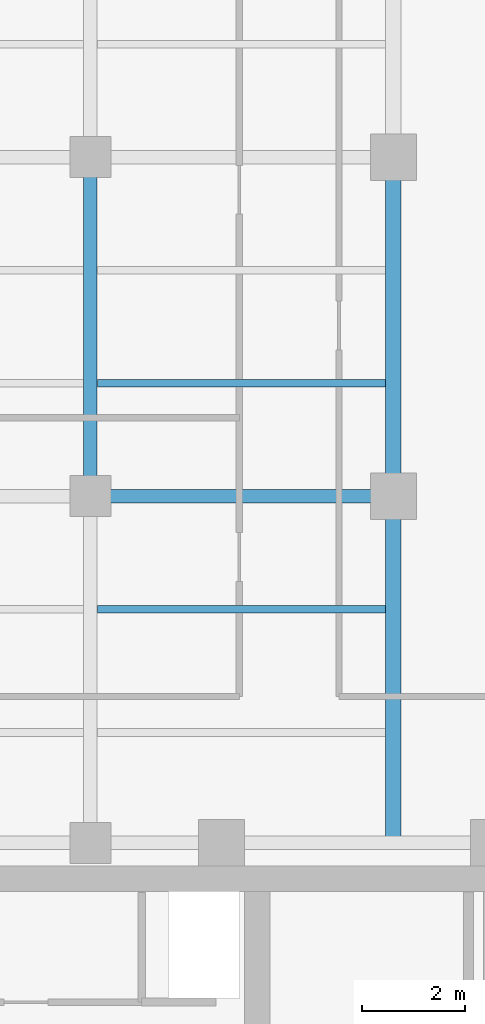
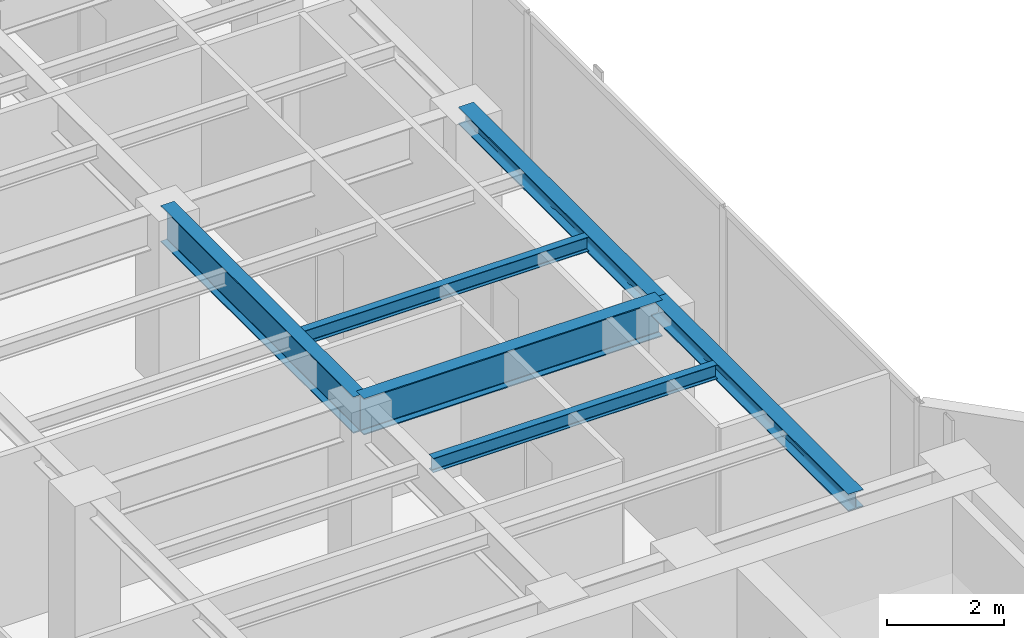
# One storey, part 9 of 22: 6 beams.
"""IFC4 building model written with IfcOpenShell, lengths in metres."""

import ifcopenshell
import ifcopenshell.guid

model = None  # the IFC model being written
_history = None  # IfcOwnerHistory: only IFC2X3 demands one
_inside = {}  # id of a spatial element -> (the spatial element, [elements in it])
_under = {}  # id of a project, library or spatial element -> (it, [spatial elements below it])
_declared = {}  # id of a project -> (the project, [libraries it declares])
_typed = {}  # id of a type object -> (the type object, [elements of that type])
_made_of = {}  # id of a material, layer set ... -> (it, [elements and type objects made of it])


def new_model(schema):
    """Start an empty IFC model of exactly this schema.

    Asked for "IFC4X3", IfcOpenShell would pick the latest addendum, in which some entities
    have other attributes; the version numbers below select the first issue.
    IFC2X3 requires an IfcOwnerHistory on every rooted entity: one is made here for all.
    """
    global model, _history
    if schema == "IFC4X3":
        model = ifcopenshell.file(schema_version=(4, 3, 0, 0))
    else:
        model = ifcopenshell.file(schema=schema)
    _inside.clear()
    _under.clear()
    _declared.clear()
    _typed.clear()
    _made_of.clear()
    _history = None
    if model.schema == "IFC2X3":
        org = make("IfcOrganization", Name="unknown")
        user = make(
            "IfcPersonAndOrganization",
            ThePerson=make("IfcPerson", FamilyName="unknown"),
            TheOrganization=org,
        )
        app = make(
            "IfcApplication",
            ApplicationDeveloper=org,
            Version="unknown",
            ApplicationFullName="unknown",
            ApplicationIdentifier="unknown",
        )
        _history = make(
            "IfcOwnerHistory",
            OwningUser=user,
            OwningApplication=app,
            ChangeAction="ADDED",
            CreationDate=0,
        )
    return model


def make(cls, **values):
    """One entity of the class cls with the attributes given. An attribute that is None is left unset."""
    return model.create_entity(
        cls, **{name: value for name, value in values.items() if value is not None}
    )


def rooted(cls, **values):
    """An entity with a GlobalId (a new one), such as an element, a storey or a relation."""
    return make(cls, GlobalId=ifcopenshell.guid.new(), OwnerHistory=_history, **values)


def si_unit(unit_type, name, prefix=None):
    """IfcSIUnit, for example si_unit("LENGTHUNIT", "METRE", prefix="MILLI")."""
    return make("IfcSIUnit", UnitType=unit_type, Prefix=prefix, Name=name)


def assignment(units):
    """IfcUnitAssignment: the units of a project."""
    return None if units is None else make("IfcUnitAssignment", Units=units)


def point(xyz):
    """IfcCartesianPoint."""
    return None if xyz is None else make("IfcCartesianPoint", Coordinates=xyz)


def direction(xyz):
    """IfcDirection."""
    return None if xyz is None else make("IfcDirection", DirectionRatios=xyz)


def frame(location, z_axis=None, x_axis=None):
    """IfcAxis2Placement3D, a coordinate frame: its origin and axes. An axis left out is left unset."""
    return make(
        "IfcAxis2Placement3D",
        Location=point(location),
        Axis=direction(z_axis),
        RefDirection=direction(x_axis),
    )


def frame_2d(location, x_axis=None):
    """IfcAxis2Placement2D, a coordinate frame in the plane: its origin and x axis."""
    return make(
        "IfcAxis2Placement2D", Location=point(location), RefDirection=direction(x_axis)
    )


def origin():
    """The frame at (0, 0, 0) with its axes left unset."""
    return frame((0.0, 0.0, 0.0))


def origin_2d():
    """The frame at (0, 0) in the plane with its x axis left unset."""
    return frame_2d((0.0, 0.0))


def place(relative_to, where):
    """IfcLocalPlacement: puts the frame where relative to a parent placement (None: the world)."""
    return make(
        "IfcLocalPlacement", PlacementRelTo=relative_to, RelativePlacement=where
    )


def context(
    kind, dimensions, precision=None, world=None, true_north=None, identifier=None
):
    """IfcGeometricRepresentationContext, for example the 3D "Model" context."""
    return make(
        "IfcGeometricRepresentationContext",
        ContextIdentifier=identifier,
        ContextType=kind,
        CoordinateSpaceDimension=dimensions,
        Precision=precision,
        WorldCoordinateSystem=world,
        TrueNorth=true_north,
    )


def subcontext(parent, identifier, kind, view, scale=None):
    """IfcGeometricRepresentationSubContext, for example "Body" below "Model"."""
    return make(
        "IfcGeometricRepresentationSubContext",
        ContextIdentifier=identifier,
        ContextType=kind,
        ParentContext=parent,
        TargetScale=scale,
        TargetView=view,
    )


def project(units=None, contexts=None):
    """IfcProject with its units and contexts."""
    return rooted(
        "IfcProject",
        Name="project",
        RepresentationContexts=contexts,
        UnitsInContext=assignment(units),
    )


def spatial(cls, under=None, at=None, **own):
    """A site, building, storey or space (cls), placed at a placement, below another one or the project."""
    s = rooted(cls, ObjectPlacement=at, **own)
    if under is not None:
        _under.setdefault(under.id(), (under, []))[1].append(s)
    return s


def profile(cls, at=None, kind="AREA", **sizes):
    """A parametric profile (cls). Its sizes go by their IFC names, for example OverallWidth=200.0."""
    return make(cls, ProfileType=kind, Position=at, **sizes)


def i_section(**sizes):
    """IfcIShapeProfileDef."""
    return profile("IfcIShapeProfileDef", **sizes)


def extrude(swept, where, along, depth):
    """IfcExtrudedAreaSolid: the profile swept, set in the frame where, extruded along a direction by depth."""
    return make(
        "IfcExtrudedAreaSolid",
        SweptArea=swept,
        Position=where,
        ExtrudedDirection=direction(along),
        Depth=depth,
    )


def shape(context_of_items, identifier, shape_type, items):
    """IfcShapeRepresentation: the items that make up one representation, for example the "Body"."""
    return make(
        "IfcShapeRepresentation",
        ContextOfItems=context_of_items,
        RepresentationIdentifier=identifier,
        RepresentationType=shape_type,
        Items=items,
    )


def material(Name=None, Category=None):
    """IfcMaterial."""
    return make("IfcMaterial", Name=Name, Category=Category)


def material_profile(
    of_material, cross_section, Name=None, Category=None, Priority=None
):
    """IfcMaterialProfile: a cross section and its material."""
    return make(
        "IfcMaterialProfile",
        Name=Name,
        Material=of_material,
        Profile=cross_section,
        Priority=Priority,
        Category=Category,
    )


def profile_set(profiles, Name=None, composite=None):
    """IfcMaterialProfileSet."""
    return make(
        "IfcMaterialProfileSet",
        Name=Name,
        MaterialProfiles=profiles,
        CompositeProfile=composite,
    )


def made_of(thing, what):
    """Note that an element or type object is made of a material, layer set ...; save() writes the relation."""
    if what is not None:
        _made_of.setdefault(what.id(), (what, []))[1].append(thing)
    return thing


def type_object(cls, material=None, **own):
    """A type object (cls), such as IfcWallType, which elements share."""
    return made_of(rooted(cls, **own), material)


def element(
    cls,
    number,
    at=None,
    inside=None,
    cuts=None,
    type_object=None,
    material=None,
    context=None,
    identifier="Body",
    shape_type=None,
    held_by="IfcProductDefinitionShape",
    body=None,
    shapes=None,
    **own,
):
    """One element of the class cls, such as IfcWall. Its Tag is "e" and its number.

    at: its placement. inside: the storey or other place that contains it. cuts: it is an
    opening in that element (IfcRelVoidsElement). A single representation is given by context,
    identifier, shape_type and body (its items); several are given by shapes. held_by: the class
    of the entity that holds the representations. save() writes the other relations.
    """
    e = rooted(cls, Tag="e%d" % number, ObjectPlacement=at, **own)
    if body is not None:
        shapes = [shape(context, identifier, shape_type, body)]
    if shapes is not None:
        e.Representation = make(held_by, Representations=shapes)
    if inside is not None:
        _inside.setdefault(inside.id(), (inside, []))[1].append(e)
    if cuts is not None:
        rooted(
            "IfcRelVoidsElement", RelatingBuildingElement=cuts, RelatedOpeningElement=e
        )
    if type_object is not None:
        _typed.setdefault(type_object.id(), (type_object, []))[1].append(e)
    return made_of(e, material)


def aggregate(whole, parts):
    """IfcRelAggregates: a whole, such as a stair, and the parts it consists of."""
    return rooted("IfcRelAggregates", RelatingObject=whole, RelatedObjects=parts)


def save(model, path):
    """Write the relations noted so far, then the file.

    IfcRelAggregates (storeys below a building ...), IfcRelContainedInSpatialStructure (elements
    in a storey), IfcRelDefinesByType, IfcRelAssociatesMaterial and IfcRelDeclares: one each for
    every whole, place, type object, material and project.
    """
    for whole, parts in _under.values():
        aggregate(whole, parts)
    for where, things in _inside.values():
        rooted(
            "IfcRelContainedInSpatialStructure",
            RelatedElements=things,
            RelatingStructure=where,
        )
    for kind, things in _typed.values():
        rooted("IfcRelDefinesByType", RelatedObjects=things, RelatingType=kind)
    for what, things in _made_of.values():
        rooted("IfcRelAssociatesMaterial", RelatedObjects=things, RelatingMaterial=what)
    for by, libraries in _declared.values():
        rooted("IfcRelDeclares", RelatingContext=by, RelatedDefinitions=libraries)
    model.write(path)


model = new_model("IFC4")

# Units and contexts
model_context = context("Model", 3, precision=1e-05, world=origin(), true_north=direction((0.0, 1.0)))
body_context = subcontext(model_context, "Body", "Model", "MODEL_VIEW")
ifc_project = project(units=[si_unit("LENGTHUNIT", "METRE"), si_unit("AREAUNIT", "SQUARE_METRE"), si_unit("VOLUMEUNIT", "CUBIC_METRE"), si_unit("PLANEANGLEUNIT", "RADIAN"), si_unit("MASSUNIT", "GRAM", prefix="KILO")], contexts=[model_context])

# Site, building, storey
site_placement = place(None, origin())
site = spatial("IfcSite", under=ifc_project, at=site_placement, CompositionType="ELEMENT")
building_placement = place(site_placement, origin())
building = spatial("IfcBuilding", under=site, at=building_placement, Name="Kolvaren Waterfront Exchange", CompositionType="ELEMENT")
storey_placement = place(building_placement, frame((0.0, 0.0, 281.800048828125)))
storey = spatial("IfcBuildingStorey", under=building, at=storey_placement, Name="L72", CompositionType="ELEMENT", Elevation=281.800048828125)

# Beams
ifc_material = material(Name="Steel S355", Category="steel")
ifc_material_profile_1 = material_profile(ifc_material, i_section(OverallWidth=0.300048828125, OverallDepth=0.360107421875, WebThickness=0.012451171875, FlangeThickness=0.0224609375, FilletRadius=0.027099609375, at=origin_2d()), Name="HEB360")
ifc_profile_set_1 = profile_set([ifc_material_profile_1], Name="Steel S355")
beam_type_1 = type_object("IfcBeamType", Name="STR-BM-HEB360", PredefinedType="SPANDREL", material=ifc_profile_set_1)
beam_1_placement = place(storey_placement, frame((18.800048828125, 24.449951171875, 3.3798828125), z_axis=(0.0, 1.0, 0.0), x_axis=(-1.0, 0.0, 0.0)))
element("IfcBeam", 1, at=beam_1_placement, inside=storey, type_object=beam_type_1, Name="L72 north-arm edge beam 1", PredefinedType="SPANDREL", context=body_context, shape_type="SweptSolid", body=[
    extrude(i_section(OverallWidth=0.300048828125, OverallDepth=0.360107421875, WebThickness=0.012451171875, FlangeThickness=0.0224609375, FilletRadius=0.027099609375, at=origin_2d()), origin(), (0.0, 0.0, 1.0), 6.75),
])
beam_2_placement = place(storey_placement, frame((18.800048828125, 31.199951171875, 3.3798828125), z_axis=(0.0, 1.0, 0.0), x_axis=(-1.0, 0.0, 0.0)))
element("IfcBeam", 2, at=beam_2_placement, inside=storey, type_object=beam_type_1, Name="L72 north-arm edge beam 2", PredefinedType="SPANDREL", context=body_context, shape_type="SweptSolid", body=[
    extrude(i_section(OverallWidth=0.300048828125, OverallDepth=0.360107421875, WebThickness=0.012451171875, FlangeThickness=0.0224609375, FilletRadius=0.027099609375, at=origin_2d()), origin(), (0.0, 0.0, 1.0), 6.60009765625),
])
ifc_material_profile_2 = material_profile(ifc_material, i_section(OverallWidth=0.14990234375, OverallDepth=0.300048828125, WebThickness=0.007080078125, FlangeThickness=0.0107421875, FilletRadius=0.014892578125, at=origin_2d()), Name="IPE300")
ifc_profile_set_2 = profile_set([ifc_material_profile_2], Name="Steel S355")
beam_type_2 = type_object("IfcBeamType", Name="STR-BM-IPE300", PredefinedType="JOIST", material=ifc_profile_set_2)
for number, where, z_axis, x_axis, name in (
    (3, (13.035400390625, 29.0, 3.409912109375), (1.0, 0.0, 0.0), (0.0, 1.0, 0.0), "L72 north-arm composite joist 2B"),
    (4, (13.035400390625, 33.39990234375, 3.409912109375), (1.0, 0.0, 0.0), (0.0, 1.0, 0.0), "L72 north-arm composite joist 3B"),
):
    element("IfcBeam", number, at=place(storey_placement, frame(where, z_axis=z_axis, x_axis=x_axis)), inside=storey, type_object=beam_type_2, Name=name, PredefinedType="JOIST", context=body_context, shape_type="SweptSolid", body=[
        extrude(i_section(OverallWidth=0.14990234375, OverallDepth=0.300048828125, WebThickness=0.007080078125, FlangeThickness=0.0107421875, FilletRadius=0.014892578125, at=origin_2d()), origin(), (0.0, 0.0, 1.0), 5.612548828125),
    ])
ifc_material_profile_3 = material_profile(ifc_material, i_section(OverallWidth=0.26708984375, OverallDepth=0.761962890625, WebThickness=0.014404296875, FlangeThickness=0.021484375, FilletRadius=0.01708984375, at=origin_2d()), Name="IPE750x173")
ifc_profile_set_3 = profile_set([ifc_material_profile_3], Name="Steel S355")
beam_type_3 = type_object("IfcBeamType", Name="STR-BM-IPE750", PredefinedType="BEAM", material=ifc_profile_set_3)
beam_3_placement = place(storey_placement, frame((12.89990234375, 31.199951171875, 3.178955078125), z_axis=(1.0, 0.0, 0.0), x_axis=(0.0, 1.0, 0.0)))
element("IfcBeam", 5, at=beam_3_placement, inside=storey, type_object=beam_type_3, Name="L72 north-arm girder 2B", PredefinedType="BEAM", context=body_context, shape_type="SweptSolid", body=[
    extrude(i_section(OverallWidth=0.26708984375, OverallDepth=0.761962890625, WebThickness=0.014404296875, FlangeThickness=0.021484375, FilletRadius=0.01708984375, at=origin_2d()), origin(), (0.0, 0.0, 1.0), 5.900146484375),
])
beam_4_placement = place(storey_placement, frame((12.89990234375, 31.199951171875, 3.178955078125), z_axis=(0.0, 1.0, 0.0), x_axis=(-1.0, 0.0, 0.0)))
element("IfcBeam", 6, at=beam_4_placement, inside=storey, type_object=beam_type_3, Name="L72 north-arm edge beam 2", PredefinedType="BEAM", context=body_context, shape_type="SweptSolid", body=[
    extrude(i_section(OverallWidth=0.26708984375, OverallDepth=0.761962890625, WebThickness=0.014404296875, FlangeThickness=0.021484375, FilletRadius=0.01708984375, at=origin_2d()), origin(), (0.0, 0.0, 1.0), 6.60009765625),
])

save(model, "model.ifc")
